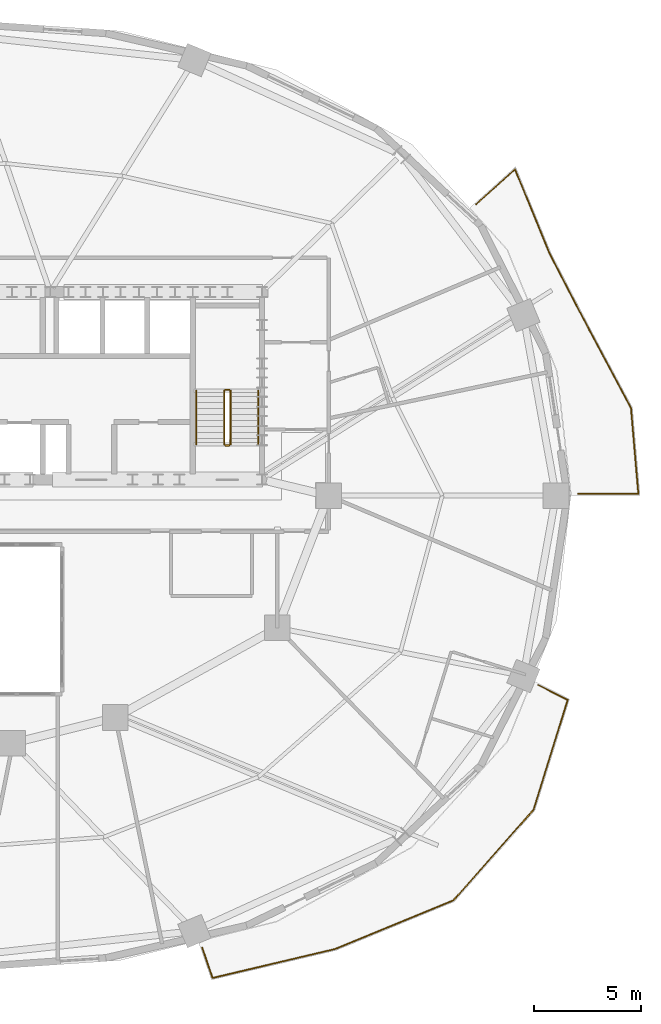
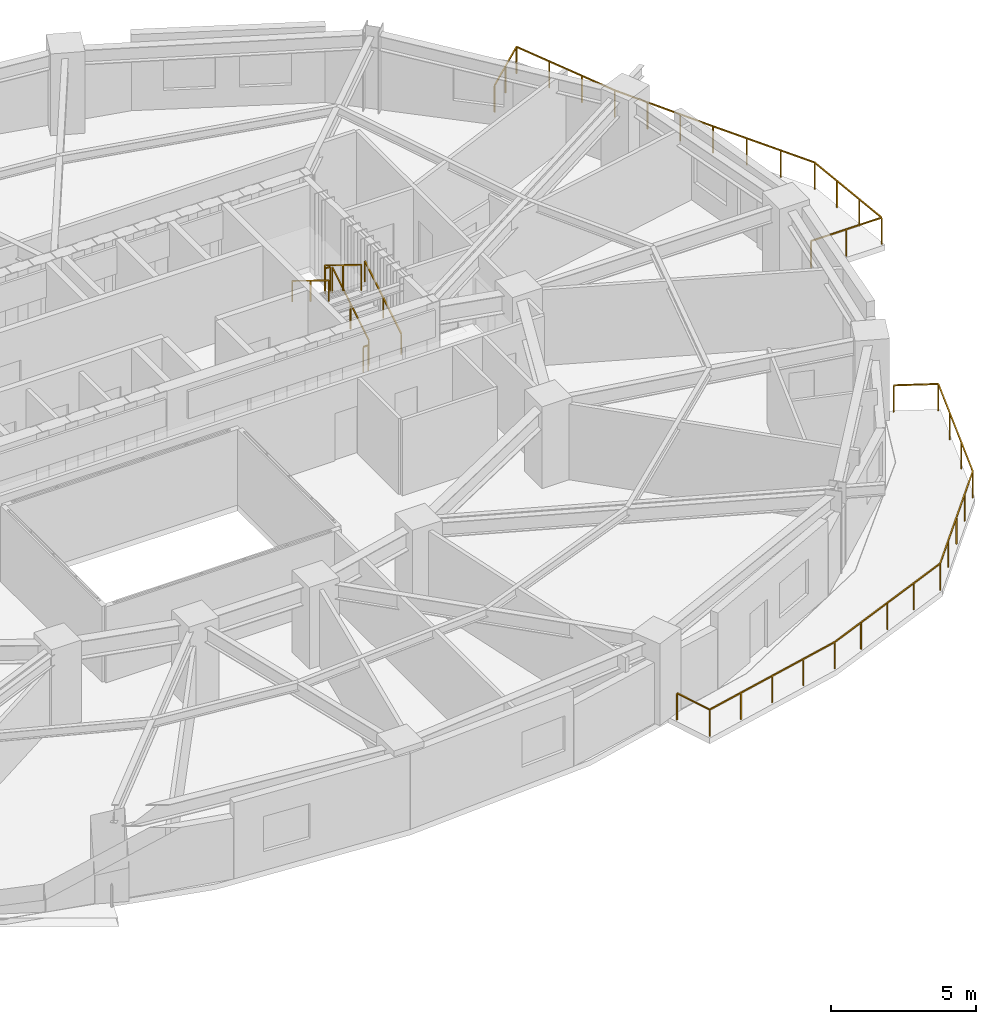
# One storey, part 12 of 12: 8 railings.
"""IFC4 building model written with IfcOpenShell, lengths in metres."""

from ifc_helpers import new_model, si_unit, direction, frame, origin, origin_2d, place, context, subcontext, project, spatial, rectangle, extrude, material, type_object, element, save


model = new_model("IFC4")

# Units and contexts
model_context = context("Model", 3, precision=1e-05, world=origin(), true_north=direction((0.0, 1.0)))
body_context = subcontext(model_context, "Body", "Model", "MODEL_VIEW")
ifc_project = project(units=[si_unit("LENGTHUNIT", "METRE"), si_unit("AREAUNIT", "SQUARE_METRE"), si_unit("VOLUMEUNIT", "CUBIC_METRE"), si_unit("PLANEANGLEUNIT", "RADIAN"), si_unit("MASSUNIT", "GRAM", prefix="KILO")], contexts=[model_context])

# Site, building, storey
site_placement = place(None, origin())
site = spatial("IfcSite", under=ifc_project, at=site_placement, CompositionType="ELEMENT")
building_placement = place(site_placement, origin())
building = spatial("IfcBuilding", under=site, at=building_placement, Name="Haldorwick Loom Tower", CompositionType="ELEMENT")
storey_placement = place(building_placement, frame((0.0, 0.0, 117.35009765625)))
storey = spatial("IfcBuildingStorey", under=building, at=storey_placement, Name="L31", CompositionType="ELEMENT", Elevation=117.35009765625)

# Railings
ifc_material_1 = material(Name="Galvanized Steel CSA G40.21 350W", Category="steel")
railing_type_1 = type_object("IfcRailingType", Name="ARC-RLG-BAL115", PredefinedType="BALUSTRADE", material=ifc_material_1)
railing_1_placement = place(storey_placement, frame((63.0283203125, 17.123291015625, 0.0)))
element("IfcRailing", 1, at=railing_1_placement, inside=storey, type_object=railing_type_1, Name="L31 Outdoor Terrace Guardrail SLB-L31-BAL_SE-1", PredefinedType="BALUSTRADE", context=body_context, shape_type="SweptSolid", body=[
    extrude(rectangle(XDim=0.048095703125, YDim=0.048095703125, at=origin_2d()), frame((0.0, 0.0, 1.1259765625), z_axis=(0.8919159442, -0.452201225652, 0.0), x_axis=(0.452201225652, 0.8919159442, 0.0)), (0.0, 0.0, 1.0), 1.544677734375),
    extrude(rectangle(XDim=0.048095703125, YDim=0.048095703125, at=origin_2d()), frame((1.377685546875, -0.698486328125, 1.1259765625), z_axis=(-0.296601426809, -0.955001357913, 0.0), x_axis=(0.955001357913, -0.296601426809, 0.0)), (0.0, 0.0, 1.0), 5.392333984375),
    extrude(rectangle(XDim=0.048095703125, YDim=0.048095703125, at=origin_2d()), frame((-0.2216796875, -5.84814453125, 1.1259765625), z_axis=(-0.662162917126, -0.749359907644, 0.0), x_axis=(0.749359907644, -0.662162917126, 0.0)), (0.0, 0.0, 1.0), 5.6669921875),
    extrude(rectangle(XDim=0.048095703125, YDim=0.048095703125, at=origin_2d()), frame((-3.97412109375, -10.0947265625, 1.1259765625), z_axis=(-0.924562095915, -0.381031403952, 0.0), x_axis=(0.381031403952, -0.924562095915, 0.0)), (0.0, 0.0, 1.0), 5.9736328125),
    extrude(rectangle(XDim=0.048095703125, YDim=0.048095703125, at=origin_2d()), frame((-9.4970703125, -12.370849609375, 1.1259765625), z_axis=(-0.973168865287, -0.230092067739, 0.0), x_axis=(0.230092067739, -0.973168865287, 0.0)), (0.0, 0.0, 1.0), 5.932373046875),
    extrude(rectangle(XDim=0.048095703125, YDim=0.048095703125, at=origin_2d()), frame((-15.270263671875, -13.73583984375, 1.1259765625), z_axis=(-0.322571147771, 0.946545220592, 0.0), x_axis=(-0.946545220592, -0.322571147771, 0.0)), (0.0, 0.0, 1.0), 1.499267578125),
    extrude(rectangle(XDim=0.0419921875, YDim=0.0419921875, at=origin_2d()), origin(), (0.0, 0.0, 1.0), 1.101806640625),
    extrude(rectangle(XDim=0.0419921875, YDim=0.0419921875, at=origin_2d()), frame((1.377685546875, -0.698486328125, 0.0)), (0.0, 0.0, 1.0), 1.101806640625),
    extrude(rectangle(XDim=0.0419921875, YDim=0.0419921875, at=origin_2d()), frame((0.844482421875, -2.4150390625, 0.0)), (0.0, 0.0, 1.0), 1.101806640625),
    extrude(rectangle(XDim=0.0419921875, YDim=0.0419921875, at=origin_2d()), frame((0.3115234375, -4.131591796875, 0.0)), (0.0, 0.0, 1.0), 1.101806640625),
    extrude(rectangle(XDim=0.0419921875, YDim=0.0419921875, at=origin_2d()), frame((-0.2216796875, -5.84814453125, 0.0)), (0.0, 0.0, 1.0), 1.101806640625),
    extrude(rectangle(XDim=0.0419921875, YDim=0.0419921875, at=origin_2d()), frame((-1.15966796875, -6.90966796875, 0.0)), (0.0, 0.0, 1.0), 1.101806640625),
    extrude(rectangle(XDim=0.0419921875, YDim=0.0419921875, at=origin_2d()), frame((-2.097900390625, -7.971435546875, 0.0)), (0.0, 0.0, 1.0), 1.101806640625),
    extrude(rectangle(XDim=0.0419921875, YDim=0.0419921875, at=origin_2d()), frame((-3.0361328125, -9.033203125, 0.0)), (0.0, 0.0, 1.0), 1.101806640625),
    extrude(rectangle(XDim=0.0419921875, YDim=0.0419921875, at=origin_2d()), frame((-3.97412109375, -10.0947265625, 0.0)), (0.0, 0.0, 1.0), 1.101806640625),
    extrude(rectangle(XDim=0.0419921875, YDim=0.0419921875, at=origin_2d()), frame((-5.35498046875, -10.663818359375, 0.0)), (0.0, 0.0, 1.0), 1.101806640625),
    extrude(rectangle(XDim=0.0419921875, YDim=0.0419921875, at=origin_2d()), frame((-6.735595703125, -11.23291015625, 0.0)), (0.0, 0.0, 1.0), 1.101806640625),
    extrude(rectangle(XDim=0.0419921875, YDim=0.0419921875, at=origin_2d()), frame((-8.1162109375, -11.8017578125, 0.0)), (0.0, 0.0, 1.0), 1.101806640625),
    extrude(rectangle(XDim=0.0419921875, YDim=0.0419921875, at=origin_2d()), frame((-9.4970703125, -12.370849609375, 0.0)), (0.0, 0.0, 1.0), 1.101806640625),
    extrude(rectangle(XDim=0.0419921875, YDim=0.0419921875, at=origin_2d()), frame((-10.9404296875, -12.712158203125, 0.0)), (0.0, 0.0, 1.0), 1.101806640625),
    extrude(rectangle(XDim=0.0419921875, YDim=0.0419921875, at=origin_2d()), frame((-12.3837890625, -13.05322265625, 0.0)), (0.0, 0.0, 1.0), 1.101806640625),
    extrude(rectangle(XDim=0.0419921875, YDim=0.0419921875, at=origin_2d()), frame((-13.826904296875, -13.39453125, 0.0)), (0.0, 0.0, 1.0), 1.101806640625),
    extrude(rectangle(XDim=0.0419921875, YDim=0.0419921875, at=origin_2d()), frame((-15.270263671875, -13.73583984375, 0.0)), (0.0, 0.0, 1.0), 1.101806640625),
    extrude(rectangle(XDim=0.0419921875, YDim=0.0419921875, at=origin_2d()), frame((-15.75390625, -12.316650390625, 0.0)), (0.0, 0.0, 1.0), 1.101806640625),
])
railing_2_placement = place(storey_placement, frame((60.115966796875, 39.656494140625, 0.0)))
element("IfcRailing", 2, at=railing_2_placement, inside=storey, type_object=railing_type_1, Name="L31 Outdoor Terrace Guardrail SLB-L31-BAL_ENE-1", PredefinedType="BALUSTRADE", context=body_context, shape_type="SweptSolid", body=[
    extrude(rectangle(XDim=0.048095703125, YDim=0.048095703125, at=origin_2d()), frame((0.0, 0.0, 1.1259765625), z_axis=(0.74337337644, 0.66887668759, 0.0), x_axis=(-0.66887668759, 0.74337337644, 0.0)), (0.0, 0.0, 1.0), 2.451416015625),
    extrude(rectangle(XDim=0.048095703125, YDim=0.048095703125, at=origin_2d()), frame((1.822265625, 1.6396484375, 1.1259765625), z_axis=(0.380081716568, -0.924952911629, 0.0), x_axis=(0.924952911629, 0.380081716568, 0.0)), (0.0, 0.0, 1.0), 4.283203125),
    extrude(rectangle(XDim=0.048095703125, YDim=0.048095703125, at=origin_2d()), frame((3.4501953125, -2.322021484375, 1.1259765625), z_axis=(0.406138466053, -0.91381154862, 0.0), x_axis=(0.91381154862, 0.406138466053, 0.0)), (0.0, 0.0, 1.0), 0.00732421875),
    extrude(rectangle(XDim=0.048095703125, YDim=0.048095703125, at=origin_2d()), frame((3.453125, -2.32861328125, 1.1259765625), z_axis=(0.460848353345, -0.887478898464, 0.0), x_axis=(0.887478898464, 0.460848353345, 0.0)), (0.0, 0.0, 1.0), 4.024169921875),
    extrude(rectangle(XDim=0.048095703125, YDim=0.048095703125, at=origin_2d()), frame((5.3076171875, -5.89990234375, 1.1259765625), z_axis=(0.707106781187, -0.707106781187, 0.0), x_axis=(0.707106781187, 0.707106781187, 0.0)), (0.0, 0.0, 1.0), 0.0009765625),
    extrude(rectangle(XDim=0.048095703125, YDim=0.048095703125, at=origin_2d()), frame((5.308349609375, -5.900634765625, 1.1259765625), z_axis=(0.471888426773, -0.88165827432, 0.0), x_axis=(0.88165827432, 0.471888426773, 0.0)), (0.0, 0.0, 1.0), 4.130615234375),
    extrude(rectangle(XDim=0.048095703125, YDim=0.048095703125, at=origin_2d()), frame((7.257568359375, -9.54248046875, 1.1259765625), z_axis=(0.08568504214, -0.996322273942, 0.0), x_axis=(0.996322273942, 0.08568504214, 0.0)), (0.0, 0.0, 1.0), 4.048828125),
    extrude(rectangle(XDim=0.048095703125, YDim=0.048095703125, at=origin_2d()), frame((7.6044921875, -13.576416015625, 1.1259765625), z_axis=(-1.0, 0.0, 0.0), x_axis=(0.0, -1.0, 0.0)), (0.0, 0.0, 1.0), 2.819580078125),
    extrude(rectangle(XDim=0.0419921875, YDim=0.0419921875, at=origin_2d()), origin(), (0.0, 0.0, 1.0), 1.101806640625),
    extrude(rectangle(XDim=0.0419921875, YDim=0.0419921875, at=origin_2d()), frame((0.9111328125, 0.81982421875, 0.0)), (0.0, 0.0, 1.0), 1.101806640625),
    extrude(rectangle(XDim=0.0419921875, YDim=0.0419921875, at=origin_2d()), frame((1.822265625, 1.6396484375, 0.0)), (0.0, 0.0, 1.0), 1.101806640625),
    extrude(rectangle(XDim=0.0419921875, YDim=0.0419921875, at=origin_2d()), frame((2.364990234375, 0.319091796875, 0.0)), (0.0, 0.0, 1.0), 1.101806640625),
    extrude(rectangle(XDim=0.0419921875, YDim=0.0419921875, at=origin_2d()), frame((2.907470703125, -1.00146484375, 0.0)), (0.0, 0.0, 1.0), 1.101806640625),
    extrude(rectangle(XDim=0.0419921875, YDim=0.0419921875, at=origin_2d()), frame((3.4501953125, -2.322021484375, 0.0)), (0.0, 0.0, 1.0), 1.101806640625),
    extrude(rectangle(XDim=0.0419921875, YDim=0.0419921875, at=origin_2d()), frame((4.0712890625, -3.51904296875, 0.0)), (0.0, 0.0, 1.0), 1.101806640625),
    extrude(rectangle(XDim=0.0419921875, YDim=0.0419921875, at=origin_2d()), frame((4.689453125, -4.70947265625, 0.0)), (0.0, 0.0, 1.0), 1.101806640625),
    extrude(rectangle(XDim=0.0419921875, YDim=0.0419921875, at=origin_2d()), frame((5.3076171875, -5.89990234375, 0.0)), (0.0, 0.0, 1.0), 1.101806640625),
    extrude(rectangle(XDim=0.0419921875, YDim=0.0419921875, at=origin_2d()), frame((5.9580078125, -7.114501953125, 0.0)), (0.0, 0.0, 1.0), 1.101806640625),
    extrude(rectangle(XDim=0.0419921875, YDim=0.0419921875, at=origin_2d()), frame((6.60791015625, -8.32861328125, 0.0)), (0.0, 0.0, 1.0), 1.101806640625),
    extrude(rectangle(XDim=0.0419921875, YDim=0.0419921875, at=origin_2d()), frame((7.257568359375, -9.54248046875, 0.0)), (0.0, 0.0, 1.0), 1.101806640625),
    extrude(rectangle(XDim=0.0419921875, YDim=0.0419921875, at=origin_2d()), frame((7.373291015625, -10.88720703125, 0.0)), (0.0, 0.0, 1.0), 1.101806640625),
    extrude(rectangle(XDim=0.0419921875, YDim=0.0419921875, at=origin_2d()), frame((7.48876953125, -12.231689453125, 0.0)), (0.0, 0.0, 1.0), 1.101806640625),
    extrude(rectangle(XDim=0.0419921875, YDim=0.0419921875, at=origin_2d()), frame((7.6044921875, -13.576416015625, 0.0)), (0.0, 0.0, 1.0), 1.101806640625),
    extrude(rectangle(XDim=0.0419921875, YDim=0.0419921875, at=origin_2d()), frame((6.19482421875, -13.576416015625, 0.0)), (0.0, 0.0, 1.0), 1.101806640625),
    extrude(rectangle(XDim=0.0419921875, YDim=0.0419921875, at=origin_2d()), frame((4.784912109375, -13.576416015625, 0.0)), (0.0, 0.0, 1.0), 1.101806640625),
])
ifc_material_2 = material(Name="Steel CSA G40.21 350W", Category="steel")
railing_type_2 = type_object("IfcRailingType", Name="ARC-RLG-GUARD112", PredefinedType="GUARDRAIL", material=ifc_material_2)
railing_3_placement = place(storey_placement, frame((48.60009765625, 28.39990234375, 0.17236328125)))
element("IfcRailing", 3, at=railing_3_placement, inside=storey, type_object=railing_type_2, Name="L31 ST-02 stair guard 1", PredefinedType="GUARDRAIL", context=body_context, shape_type="SweptSolid", body=[
    extrude(rectangle(XDim=0.048095703125, YDim=0.048095703125, at=origin_2d()), frame((0.0, 0.0, 1.076171875), z_axis=(0.0, 0.851400495292, 0.524516154772), x_axis=(-1.0, 0.0, 0.0)), (0.0, 0.0, 1.0), 2.9599609375),
    extrude(rectangle(XDim=0.0419921875, YDim=0.0419921875, at=origin_2d()), origin(), (0.0, 0.0, 1.0), 1.052001953125),
    extrude(rectangle(XDim=0.0419921875, YDim=0.0419921875, at=origin_2d()), frame((0.0, 1.260009765625, 0.7763671875)), (0.0, 0.0, 1.0), 1.052001953125),
    extrude(rectangle(XDim=0.0419921875, YDim=0.0419921875, at=origin_2d()), frame((0.0, 2.52001953125, 1.552490234375)), (0.0, 0.0, 1.0), 1.052001953125),
])
railing_4_placement = place(storey_placement, frame((48.550048828125, 30.969970703125, 1.724853515625)))
element("IfcRailing", 4, at=railing_4_placement, inside=storey, type_object=railing_type_2, Name="L31 ST-02 stair guard 2", PredefinedType="GUARDRAIL", context=body_context, shape_type="SweptSolid", body=[
    extrude(rectangle(XDim=0.048095703125, YDim=0.048095703125, at=origin_2d()), frame((0.0, 0.0, 1.076171875), z_axis=(-1.0, 0.0, 0.0), x_axis=(0.0, -1.0, 0.0)), (0.0, 0.0, 1.0), 0.199951171875),
    extrude(rectangle(XDim=0.0419921875, YDim=0.0419921875, at=origin_2d()), origin(), (0.0, 0.0, 1.0), 1.052001953125),
    extrude(rectangle(XDim=0.0419921875, YDim=0.0419921875, at=origin_2d()), frame((-0.199951171875, 0.0, 0.0)), (0.0, 0.0, 1.0), 1.052001953125),
])
railing_5_placement = place(storey_placement, frame((48.300048828125, 30.919921875, 1.8974609375)))
element("IfcRailing", 5, at=railing_5_placement, inside=storey, type_object=railing_type_2, Name="L31 ST-02 stair guard 3", PredefinedType="GUARDRAIL", context=body_context, shape_type="SweptSolid", body=[
    extrude(rectangle(XDim=0.048095703125, YDim=0.048095703125, at=origin_2d()), frame((0.0, 0.0, 1.076171875), z_axis=(0.0, -0.851400495292, 0.524516154772), x_axis=(1.0, 0.0, 0.0)), (0.0, 0.0, 1.0), 2.9599609375),
    extrude(rectangle(XDim=0.0419921875, YDim=0.0419921875, at=origin_2d()), origin(), (0.0, 0.0, 1.0), 1.052001953125),
    extrude(rectangle(XDim=0.0419921875, YDim=0.0419921875, at=origin_2d()), frame((0.0, -1.260009765625, 0.7763671875)), (0.0, 0.0, 1.0), 1.052001953125),
    extrude(rectangle(XDim=0.0419921875, YDim=0.0419921875, at=origin_2d()), frame((0.0, -2.52001953125, 1.552490234375)), (0.0, 0.0, 1.0), 1.052001953125),
])
railing_6_placement = place(storey_placement, frame((48.550048828125, 28.35009765625, 0.0)))
element("IfcRailing", 6, at=railing_6_placement, inside=storey, type_object=railing_type_2, Name="L31 ST-02 stair guard 4", PredefinedType="GUARDRAIL", context=body_context, shape_type="SweptSolid", body=[
    extrude(rectangle(XDim=0.048095703125, YDim=0.048095703125, at=origin_2d()), frame((0.0, 0.0, 1.076171875), z_axis=(-1.0, 0.0, 0.0), x_axis=(0.0, -1.0, 0.0)), (0.0, 0.0, 1.0), 0.199951171875),
    extrude(rectangle(XDim=0.0419921875, YDim=0.0419921875, at=origin_2d()), origin(), (0.0, 0.0, 1.0), 1.052001953125),
    extrude(rectangle(XDim=0.0419921875, YDim=0.0419921875, at=origin_2d()), frame((-0.199951171875, 0.0, 0.0)), (0.0, 0.0, 1.0), 1.052001953125),
])
railing_type_3 = type_object("IfcRailingType", Name="ARC-RLG-HAND092", PredefinedType="HANDRAIL", material=ifc_material_2)
railing_7_placement = place(storey_placement, frame((49.89990234375, 28.39990234375, 0.17236328125)))
element("IfcRailing", 7, at=railing_7_placement, inside=storey, type_object=railing_type_3, Name="L31 ST-02 stair handrail 1", PredefinedType="HANDRAIL", context=body_context, shape_type="SweptSolid", body=[
    extrude(rectangle(XDim=0.048095703125, YDim=0.048095703125, at=origin_2d()), frame((0.0, 0.0, 0.8759765625), z_axis=(0.0, 0.851400495292, 0.524516154772), x_axis=(-1.0, 0.0, 0.0)), (0.0, 0.0, 1.0), 2.9599609375),
    extrude(rectangle(XDim=0.0419921875, YDim=0.0419921875, at=origin_2d()), origin(), (0.0, 0.0, 1.0), 0.851806640625),
    extrude(rectangle(XDim=0.0419921875, YDim=0.0419921875, at=origin_2d()), frame((0.0, 1.260009765625, 0.7763671875)), (0.0, 0.0, 1.0), 0.851806640625),
    extrude(rectangle(XDim=0.0419921875, YDim=0.0419921875, at=origin_2d()), frame((0.0, 2.52001953125, 1.552490234375)), (0.0, 0.0, 1.0), 0.851806640625),
])
railing_8_placement = place(storey_placement, frame((47.0, 30.919921875, 1.8974609375)))
element("IfcRailing", 8, at=railing_8_placement, inside=storey, type_object=railing_type_3, Name="L31 ST-02 stair handrail 2", PredefinedType="HANDRAIL", context=body_context, shape_type="SweptSolid", body=[
    extrude(rectangle(XDim=0.048095703125, YDim=0.048095703125, at=origin_2d()), frame((0.0, 0.0, 0.8759765625), z_axis=(0.0, -0.851400495292, 0.524516154772), x_axis=(1.0, 0.0, 0.0)), (0.0, 0.0, 1.0), 2.9599609375),
    extrude(rectangle(XDim=0.0419921875, YDim=0.0419921875, at=origin_2d()), origin(), (0.0, 0.0, 1.0), 0.851806640625),
    extrude(rectangle(XDim=0.0419921875, YDim=0.0419921875, at=origin_2d()), frame((0.0, -1.260009765625, 0.7763671875)), (0.0, 0.0, 1.0), 0.851806640625),
    extrude(rectangle(XDim=0.0419921875, YDim=0.0419921875, at=origin_2d()), frame((0.0, -2.52001953125, 1.552490234375)), (0.0, 0.0, 1.0), 0.851806640625),
])

save(model, "model.ifc")
